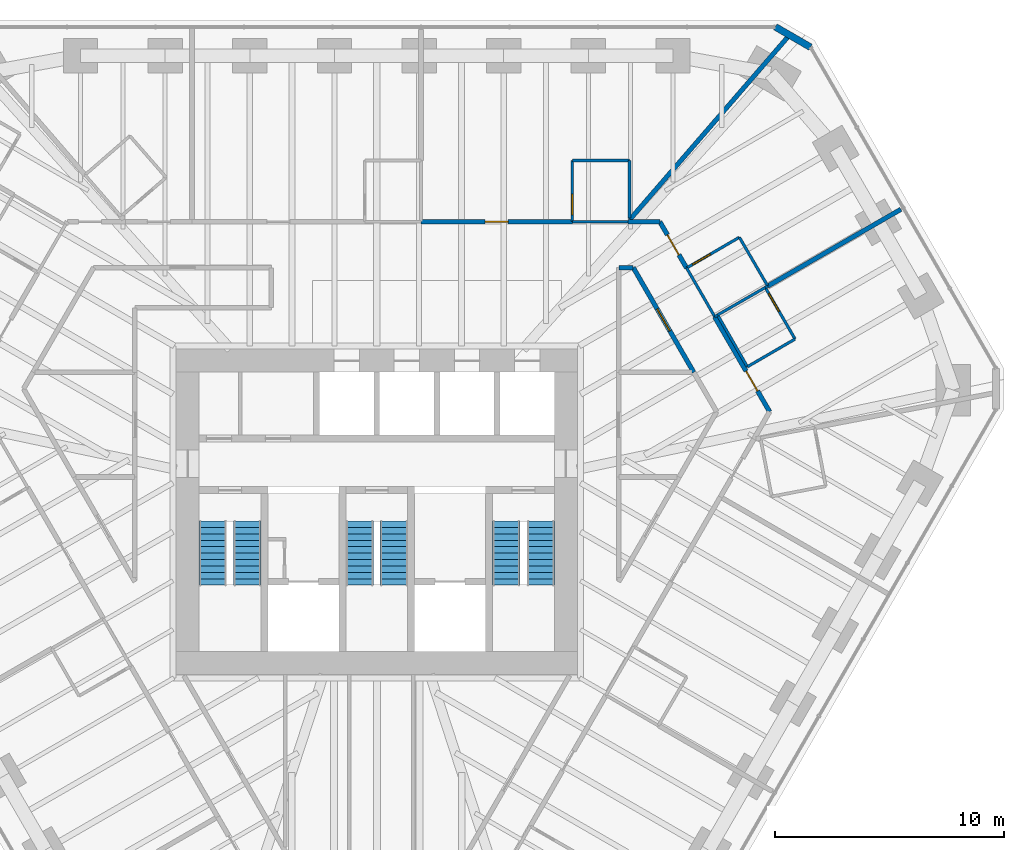
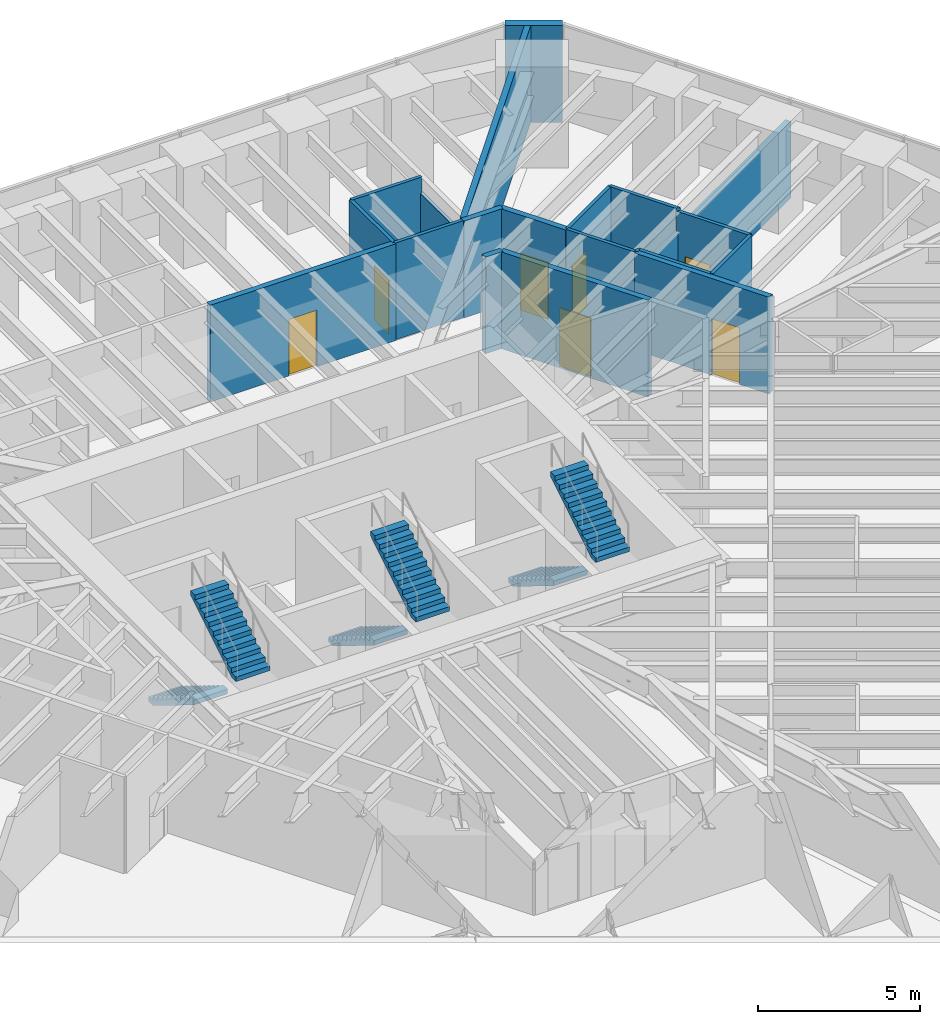
# One storey, part 15 of 16: 22 walls, 7 doors, 6 stair flights, 7 openings, 3 elements without a shape of their own.
"""IFC4 building model written with IfcOpenShell, lengths in metres."""

import ifcopenshell
import ifcopenshell.guid

model = None  # the IFC model being written
_history = None  # IfcOwnerHistory: only IFC2X3 demands one
_inside = {}  # id of a spatial element -> (the spatial element, [elements in it])
_under = {}  # id of a project, library or spatial element -> (it, [spatial elements below it])
_declared = {}  # id of a project -> (the project, [libraries it declares])
_typed = {}  # id of a type object -> (the type object, [elements of that type])
_made_of = {}  # id of a material, layer set ... -> (it, [elements and type objects made of it])


def new_model(schema):
    """Start an empty IFC model of exactly this schema.

    Asked for "IFC4X3", IfcOpenShell would pick the latest addendum, in which some entities
    have other attributes; the version numbers below select the first issue.
    IFC2X3 requires an IfcOwnerHistory on every rooted entity: one is made here for all.
    """
    global model, _history
    if schema == "IFC4X3":
        model = ifcopenshell.file(schema_version=(4, 3, 0, 0))
    else:
        model = ifcopenshell.file(schema=schema)
    _inside.clear()
    _under.clear()
    _declared.clear()
    _typed.clear()
    _made_of.clear()
    _history = None
    if model.schema == "IFC2X3":
        org = make("IfcOrganization", Name="unknown")
        user = make(
            "IfcPersonAndOrganization",
            ThePerson=make("IfcPerson", FamilyName="unknown"),
            TheOrganization=org,
        )
        app = make(
            "IfcApplication",
            ApplicationDeveloper=org,
            Version="unknown",
            ApplicationFullName="unknown",
            ApplicationIdentifier="unknown",
        )
        _history = make(
            "IfcOwnerHistory",
            OwningUser=user,
            OwningApplication=app,
            ChangeAction="ADDED",
            CreationDate=0,
        )
    return model


def make(cls, **values):
    """One entity of the class cls with the attributes given. An attribute that is None is left unset."""
    return model.create_entity(
        cls, **{name: value for name, value in values.items() if value is not None}
    )


def rooted(cls, **values):
    """An entity with a GlobalId (a new one), such as an element, a storey or a relation."""
    return make(cls, GlobalId=ifcopenshell.guid.new(), OwnerHistory=_history, **values)


def si_unit(unit_type, name, prefix=None):
    """IfcSIUnit, for example si_unit("LENGTHUNIT", "METRE", prefix="MILLI")."""
    return make("IfcSIUnit", UnitType=unit_type, Prefix=prefix, Name=name)


def assignment(units):
    """IfcUnitAssignment: the units of a project."""
    return None if units is None else make("IfcUnitAssignment", Units=units)


def point(xyz):
    """IfcCartesianPoint."""
    return None if xyz is None else make("IfcCartesianPoint", Coordinates=xyz)


def direction(xyz):
    """IfcDirection."""
    return None if xyz is None else make("IfcDirection", DirectionRatios=xyz)


def frame(location, z_axis=None, x_axis=None):
    """IfcAxis2Placement3D, a coordinate frame: its origin and axes. An axis left out is left unset."""
    return make(
        "IfcAxis2Placement3D",
        Location=point(location),
        Axis=direction(z_axis),
        RefDirection=direction(x_axis),
    )


def frame_2d(location, x_axis=None):
    """IfcAxis2Placement2D, a coordinate frame in the plane: its origin and x axis."""
    return make(
        "IfcAxis2Placement2D", Location=point(location), RefDirection=direction(x_axis)
    )


def origin():
    """The frame at (0, 0, 0) with its axes left unset."""
    return frame((0.0, 0.0, 0.0))


def place(relative_to, where):
    """IfcLocalPlacement: puts the frame where relative to a parent placement (None: the world)."""
    return make(
        "IfcLocalPlacement", PlacementRelTo=relative_to, RelativePlacement=where
    )


def context(
    kind, dimensions, precision=None, world=None, true_north=None, identifier=None
):
    """IfcGeometricRepresentationContext, for example the 3D "Model" context."""
    return make(
        "IfcGeometricRepresentationContext",
        ContextIdentifier=identifier,
        ContextType=kind,
        CoordinateSpaceDimension=dimensions,
        Precision=precision,
        WorldCoordinateSystem=world,
        TrueNorth=true_north,
    )


def subcontext(parent, identifier, kind, view, scale=None):
    """IfcGeometricRepresentationSubContext, for example "Body" below "Model"."""
    return make(
        "IfcGeometricRepresentationSubContext",
        ContextIdentifier=identifier,
        ContextType=kind,
        ParentContext=parent,
        TargetScale=scale,
        TargetView=view,
    )


def project(units=None, contexts=None):
    """IfcProject with its units and contexts."""
    return rooted(
        "IfcProject",
        Name="project",
        RepresentationContexts=contexts,
        UnitsInContext=assignment(units),
    )


def spatial(cls, under=None, at=None, **own):
    """A site, building, storey or space (cls), placed at a placement, below another one or the project."""
    s = rooted(cls, ObjectPlacement=at, **own)
    if under is not None:
        _under.setdefault(under.id(), (under, []))[1].append(s)
    return s


def polyline(points):
    """IfcPolyline through the points."""
    return make("IfcPolyline", Points=[point(p) for p in points])


def profile(cls, at=None, kind="AREA", **sizes):
    """A parametric profile (cls). Its sizes go by their IFC names, for example OverallWidth=200.0."""
    return make(cls, ProfileType=kind, Position=at, **sizes)


def rectangle(**sizes):
    """IfcRectangleProfileDef."""
    return profile("IfcRectangleProfileDef", **sizes)


def outline(outer, holes=None, kind="AREA"):
    """IfcArbitraryClosedProfileDef: a profile drawn as a closed curve; with holes, ...WithVoids."""
    if holes is None:
        return make("IfcArbitraryClosedProfileDef", ProfileType=kind, OuterCurve=outer)
    return make(
        "IfcArbitraryProfileDefWithVoids",
        ProfileType=kind,
        OuterCurve=outer,
        InnerCurves=holes,
    )


def extrude(swept, where, along, depth):
    """IfcExtrudedAreaSolid: the profile swept, set in the frame where, extruded along a direction by depth."""
    return make(
        "IfcExtrudedAreaSolid",
        SweptArea=swept,
        Position=where,
        ExtrudedDirection=direction(along),
        Depth=depth,
    )


def shape(context_of_items, identifier, shape_type, items):
    """IfcShapeRepresentation: the items that make up one representation, for example the "Body"."""
    return make(
        "IfcShapeRepresentation",
        ContextOfItems=context_of_items,
        RepresentationIdentifier=identifier,
        RepresentationType=shape_type,
        Items=items,
    )


def material(Name=None, Category=None):
    """IfcMaterial."""
    return make("IfcMaterial", Name=Name, Category=Category)


def layer(
    of_material, thickness, ventilated=None, Name=None, Category=None, Priority=None
):
    """IfcMaterialLayer: one layer of a wall or slab, of a material (None: an air gap)."""
    return make(
        "IfcMaterialLayer",
        Material=of_material,
        LayerThickness=thickness,
        IsVentilated=ventilated,
        Name=Name,
        Category=Category,
        Priority=Priority,
    )


def layer_set(layers, Name=None):
    """IfcMaterialLayerSet."""
    return make("IfcMaterialLayerSet", MaterialLayers=layers, LayerSetName=Name)


def made_of(thing, what):
    """Note that an element or type object is made of a material, layer set ...; save() writes the relation."""
    if what is not None:
        _made_of.setdefault(what.id(), (what, []))[1].append(thing)
    return thing


def type_object(cls, material=None, **own):
    """A type object (cls), such as IfcWallType, which elements share."""
    return made_of(rooted(cls, **own), material)


def element(
    cls,
    number,
    at=None,
    inside=None,
    cuts=None,
    type_object=None,
    material=None,
    context=None,
    identifier="Body",
    shape_type=None,
    held_by="IfcProductDefinitionShape",
    body=None,
    shapes=None,
    **own,
):
    """One element of the class cls, such as IfcWall. Its Tag is "e" and its number.

    at: its placement. inside: the storey or other place that contains it. cuts: it is an
    opening in that element (IfcRelVoidsElement). A single representation is given by context,
    identifier, shape_type and body (its items); several are given by shapes. held_by: the class
    of the entity that holds the representations. save() writes the other relations.
    """
    e = rooted(cls, Tag="e%d" % number, ObjectPlacement=at, **own)
    if body is not None:
        shapes = [shape(context, identifier, shape_type, body)]
    if shapes is not None:
        e.Representation = make(held_by, Representations=shapes)
    if inside is not None:
        _inside.setdefault(inside.id(), (inside, []))[1].append(e)
    if cuts is not None:
        rooted(
            "IfcRelVoidsElement", RelatingBuildingElement=cuts, RelatedOpeningElement=e
        )
    if type_object is not None:
        _typed.setdefault(type_object.id(), (type_object, []))[1].append(e)
    return made_of(e, material)


def fill(opening, filler):
    """IfcRelFillsElement: the door or window that sits in an opening."""
    return rooted(
        "IfcRelFillsElement",
        RelatingOpeningElement=opening,
        RelatedBuildingElement=filler,
    )


def aggregate(whole, parts):
    """IfcRelAggregates: a whole, such as a stair, and the parts it consists of."""
    return rooted("IfcRelAggregates", RelatingObject=whole, RelatedObjects=parts)


def save(model, path):
    """Write the relations noted so far, then the file.

    IfcRelAggregates (storeys below a building ...), IfcRelContainedInSpatialStructure (elements
    in a storey), IfcRelDefinesByType, IfcRelAssociatesMaterial and IfcRelDeclares: one each for
    every whole, place, type object, material and project.
    """
    for whole, parts in _under.values():
        aggregate(whole, parts)
    for where, things in _inside.values():
        rooted(
            "IfcRelContainedInSpatialStructure",
            RelatedElements=things,
            RelatingStructure=where,
        )
    for kind, things in _typed.values():
        rooted("IfcRelDefinesByType", RelatedObjects=things, RelatingType=kind)
    for what, things in _made_of.values():
        rooted("IfcRelAssociatesMaterial", RelatedObjects=things, RelatingMaterial=what)
    for by, libraries in _declared.values():
        rooted("IfcRelDeclares", RelatingContext=by, RelatedDefinitions=libraries)
    model.write(path)


model = new_model("IFC4")

# Units and contexts
model_context = context("Model", 3, precision=1e-05, world=origin(), true_north=direction((0.0, 1.0)))
body_context = subcontext(model_context, "Body", "Model", "MODEL_VIEW")
ifc_project = project(units=[si_unit("LENGTHUNIT", "METRE"), si_unit("AREAUNIT", "SQUARE_METRE"), si_unit("VOLUMEUNIT", "CUBIC_METRE"), si_unit("PLANEANGLEUNIT", "RADIAN"), si_unit("MASSUNIT", "GRAM", prefix="KILO")], contexts=[model_context])

# Site, building, storey
site_placement = place(None, origin())
site = spatial("IfcSite", under=ifc_project, at=site_placement, CompositionType="ELEMENT")
building_placement = place(site_placement, origin())
building = spatial("IfcBuilding", under=site, at=building_placement, Name="Sandreach Pilgrim Tower", CompositionType="ELEMENT")
storey_placement = place(building_placement, frame((0.0, 0.0, 209.800048828125)))
storey = spatial("IfcBuildingStorey", under=building, at=storey_placement, Name="L52", CompositionType="ELEMENT", Elevation=209.800048828125)

# Wall, opening, door
ifc_material_1 = material(Name="Moisture-resistant gypsum board on steel studs", Category="steel")
ifc_layer_1 = layer(ifc_material_1, 0.1201171875)
ifc_layer_set_1 = layer_set([ifc_layer_1], Name="Bathroom partition 120")
wall_type_1 = type_object("IfcWallType", Name="Bathroom partition 120", PredefinedType="PARTITIONING", material=ifc_layer_set_1)
wall_1_placement = place(storey_placement, frame((8.530029296875, 15.330078125, 0.0), z_axis=(0.0, 0.0, 1.0), x_axis=(0.0, -1.0, 0.0)))
wall_1 = element("IfcWall", 1, at=wall_1_placement, inside=storey, type_object=wall_type_1, Name="Bathroom partition L52-104", PredefinedType="PARTITIONING", context=body_context, shape_type="SweptSolid", body=[
    extrude(rectangle(XDim=2.670166015625, YDim=0.1201171875, at=frame_2d((1.3349609375, 0.0))), origin(), (0.0, 0.0, 1.0), 3.639892578125),
])
opening_1_placement = place(wall_1_placement, frame((1.469970703125, 0.0, 0.0)))
opening_1 = element("IfcOpeningElement", 2, at=opening_1_placement, cuts=wall_1, Name="Opening D09-03B", PredefinedType="OPENING", context=body_context, shape_type="SweptSolid", body=[
    extrude(rectangle(XDim=0.89990234375, YDim=2.030029296875, at=frame_2d((0.449951171875, 1.01513671875))), frame((0.0, 0.06005859375, 0.0), z_axis=(0.0, -1.0, 0.0), x_axis=(1.0, 0.0, 0.0)), (0.0, 0.0, 1.0), 0.1201171875),
])
ifc_material_2 = material(Name="Timber door, steel frame", Category="steel")
door_type_1 = type_object("IfcDoorType", Name="Bathroom door", OperationType="SINGLE_SWING_LEFT", PredefinedType="DOOR", material=ifc_material_2)
door_1_placement = place(opening_1_placement, origin())
door_1 = element("IfcDoor", 3, at=door_1_placement, inside=storey, type_object=door_type_1, Name="Door 5203B", OperationType="SINGLE_SWING_RIGHT", OverallHeight=2.030029296875, OverallWidth=0.89990234375, PredefinedType="DOOR", context=body_context, shape_type="SweptSolid", body=[
    extrude(rectangle(XDim=0.89990234375, YDim=2.030029296875, at=frame_2d((0.449951171875, 1.01513671875))), frame((0.0, 0.02490234375, 0.0), z_axis=(0.0, -1.0, 0.0), x_axis=(1.0, 0.0, 0.0)), (0.0, 0.0, 1.0), 0.050048828125),
])
fill(opening_1, door_1)

# Walls
wall_2_placement = place(storey_placement, frame((10.9599609375, 12.659912109375, 0.0), z_axis=(0.0, 0.0, 1.0), x_axis=(-1.0, 0.0, 0.0)))
element("IfcWall", 4, at=wall_2_placement, inside=storey, type_object=wall_type_1, Name="Bathroom partition L52-112", PredefinedType="PARTITIONING", context=body_context, shape_type="SweptSolid", body=[
    extrude(rectangle(XDim=2.429931640625, YDim=0.1201171875, at=frame_2d((1.21484375, 0.0))), origin(), (0.0, 0.0, 1.0), 3.639892578125),
])
wall_3_placement = place(storey_placement, frame((11.030029296875, 12.830078125, 0.0), z_axis=(0.0, 0.0, 1.0), x_axis=(0.0, 1.0, 0.0)))
element("IfcWall", 5, at=wall_3_placement, inside=storey, type_object=wall_type_1, Name="Bathroom partition L52-113", PredefinedType="PARTITIONING", context=body_context, shape_type="SweptSolid", body=[
    extrude(rectangle(XDim=2.5, YDim=0.1201171875, at=frame_2d((1.25, 0.0))), origin(), (0.0, 0.0, 1.0), 3.0380859375),
])
wall_4_placement = place(storey_placement, frame((11.030029296875, 15.330078125, 0.0), z_axis=(0.0, 0.0, 1.0), x_axis=(-1.0, 0.0, 0.0)))
element("IfcWall", 6, at=wall_4_placement, inside=storey, type_object=wall_type_1, Name="Bathroom partition L52-114", PredefinedType="PARTITIONING", context=body_context, shape_type="SweptSolid", body=[
    extrude(rectangle(XDim=2.5, YDim=0.1201171875, at=frame_2d((1.25, 0.0))), origin(), (0.0, 0.0, 1.0), 3.639892578125),
])
wall_5_placement = place(storey_placement, frame((13.52001953125, 10.64013671875, 0.0), z_axis=(0.0, 0.0, 1.0), x_axis=(0.500046071023, -0.865998803033, 0.0)))
element("IfcWall", 7, at=wall_5_placement, inside=storey, type_object=wall_type_1, Name="Bathroom partition L52-125", PredefinedType="PARTITIONING", context=body_context, shape_type="SweptSolid", body=[
    extrude(rectangle(XDim=2.459716796875, YDim=0.1201171875, at=frame_2d((1.22998046875, 0.0))), origin(), (0.0, 0.0, 1.0), 3.639892578125),
])
wall_6_placement = place(storey_placement, frame((14.75, 8.510009765625, 0.0), z_axis=(0.0, 0.0, 1.0), x_axis=(0.831528837533, 0.555481585969, 0.0)))
element("IfcWall", 8, at=wall_6_placement, inside=storey, type_object=wall_type_1, Name="Bathroom partition L52-128", PredefinedType="PARTITIONING", context=body_context, shape_type="SweptSolid", body=[
    extrude(rectangle(XDim=0.14404296875, YDim=0.1201171875, at=frame_2d((0.072021484375, 0.0))), origin(), (0.0, 0.0, 1.0), 3.639892578125),
])
wall_7_placement = place(storey_placement, frame((14.8701171875, 8.590087890625, 0.0), z_axis=(0.0, 0.0, 1.0), x_axis=(0.498557331759, -0.866856728041, 0.0)))
element("IfcWall", 9, at=wall_7_placement, inside=storey, type_object=wall_type_1, Name="Bathroom partition L52-130", PredefinedType="PARTITIONING", context=body_context, shape_type="SweptSolid", body=[
    extrude(rectangle(XDim=2.607177734375, YDim=0.1201171875, at=frame_2d((1.3037109375, 0.0))), origin(), (0.0, 0.0, 1.0), 3.639892578125),
])
wall_8_placement = place(storey_placement, frame((14.8701171875, 8.590087890625, 0.0), z_axis=(0.0, 0.0, 1.0), x_axis=(0.866177122335, 0.499737123639, 0.0)))
element("IfcWall", 10, at=wall_8_placement, inside=storey, type_object=wall_type_1, Name="Bathroom partition L52-131", PredefinedType="PARTITIONING", context=body_context, shape_type="SweptSolid", body=[
    extrude(rectangle(XDim=2.401123046875, YDim=0.1201171875, at=frame_2d((1.20068359375, 0.0))), origin(), (0.0, 0.0, 1.0), 2.8779296875),
])

# Wall, opening, door
wall_9_placement = place(storey_placement, frame((15.820068359375, 11.97998046875, 0.0), z_axis=(0.0, 0.0, 1.0), x_axis=(-0.864041571379, -0.503420463359, 0.0)))
wall_9 = element("IfcWall", 11, at=wall_9_placement, inside=storey, type_object=wall_type_1, Name="Bathroom partition L52-133", PredefinedType="PARTITIONING", context=body_context, shape_type="SweptSolid", body=[
    extrude(rectangle(XDim=2.661865234375, YDim=0.1201171875, at=frame_2d((1.3310546875, 0.0))), origin(), (0.0, 0.0, 1.0), 3.639892578125),
])
opening_2_placement = place(wall_9_placement, frame((1.4619140625, 0.0, 0.0)))
opening_2 = element("IfcOpeningElement", 12, at=opening_2_placement, cuts=wall_9, Name="Opening D09-04B", PredefinedType="OPENING", context=body_context, shape_type="SweptSolid", body=[
    extrude(rectangle(XDim=0.89990234375, YDim=2.030029296875, at=frame_2d((0.449951171875, 1.01513671875))), frame((0.0, 0.06005859375, 0.0), z_axis=(0.0, -1.0, 0.0), x_axis=(1.0, 0.0, 0.0)), (0.0, 0.0, 1.0), 0.1201171875),
])
door_2_placement = place(opening_2_placement, origin())
door_2 = element("IfcDoor", 13, at=door_2_placement, inside=storey, type_object=door_type_1, Name="Door 5204B", OperationType="SINGLE_SWING_RIGHT", OverallHeight=2.030029296875, OverallWidth=0.89990234375, PredefinedType="DOOR", context=body_context, shape_type="SweptSolid", body=[
    extrude(rectangle(XDim=0.89990234375, YDim=2.030029296875, at=frame_2d((0.449951171875, 1.01513671875))), frame((0.0, 0.02490234375, 0.0), z_axis=(0.0, -1.0, 0.0), x_axis=(1.0, 0.0, 0.0)), (0.0, 0.0, 1.0), 0.050048828125),
])
fill(opening_2, door_2)

# Walls
wall_10_placement = place(storey_placement, frame((16.169921875, 6.330078125, 0.0), z_axis=(0.0, 0.0, 1.0), x_axis=(0.864396442809, 0.502810888564, 0.0)))
element("IfcWall", 14, at=wall_10_placement, inside=storey, type_object=wall_type_1, Name="Bathroom partition L52-134", PredefinedType="PARTITIONING", context=body_context, shape_type="SweptSolid", body=[
    extrude(rectangle(XDim=2.406494140625, YDim=0.1201171875, at=frame_2d((1.203125, 0.0))), origin(), (0.0, 0.0, 1.0), 3.639892578125),
])
wall_11_placement = place(storey_placement, frame((16.949951171875, 9.7900390625, 0.0), z_axis=(0.0, 0.0, 1.0), x_axis=(0.877895572914, 0.478852130681, 0.0)))
element("IfcWall", 15, at=wall_11_placement, inside=storey, type_object=wall_type_1, Name="Bathroom partition L52-139", PredefinedType="PARTITIONING", context=body_context, shape_type="SweptSolid", body=[
    extrude(rectangle(XDim=0.12548828125, YDim=0.1201171875, at=frame_2d((0.062744140625, 0.0))), origin(), (0.0, 0.0, 1.0), 3.639892578125),
])
wall_12_placement = place(storey_placement, frame((17.06005859375, 9.85009765625, 0.0), z_axis=(0.0, 0.0, 1.0), x_axis=(-0.503131731744, 0.864209731785, 0.0)))
element("IfcWall", 16, at=wall_12_placement, inside=storey, type_object=wall_type_1, Name="Bathroom partition L52-140", PredefinedType="PARTITIONING", context=body_context, shape_type="SweptSolid", body=[
    extrude(rectangle(XDim=2.464599609375, YDim=0.1201171875, at=frame_2d((1.232421875, 0.0))), origin(), (0.0, 0.0, 1.0), 3.639892578125),
])

# Wall, opening, door
wall_13_placement = place(storey_placement, frame((18.25, 7.5400390625, 0.0), z_axis=(0.0, 0.0, 1.0), x_axis=(-0.500291685314, 0.865856933682, 0.0)))
wall_13 = element("IfcWall", 17, at=wall_13_placement, inside=storey, type_object=wall_type_1, Name="Bathroom partition L52-144", PredefinedType="PARTITIONING", context=body_context, shape_type="SweptSolid", body=[
    extrude(rectangle(XDim=2.5986328125, YDim=0.1201171875, at=frame_2d((1.29931640625, 0.0))), origin(), (0.0, 0.0, 1.0), 3.639892578125),
])
opening_3_placement = place(wall_13_placement, frame((1.398681640625, 0.0, 0.0)))
opening_3 = element("IfcOpeningElement", 18, at=opening_3_placement, cuts=wall_13, Name="Opening D09-05B", PredefinedType="OPENING", context=body_context, shape_type="SweptSolid", body=[
    extrude(rectangle(XDim=0.89990234375, YDim=2.030029296875, at=frame_2d((0.449951171875, 1.01513671875))), frame((0.0, 0.06005859375, 0.0), z_axis=(0.0, -1.0, 0.0), x_axis=(1.0, 0.0, 0.0)), (0.0, 0.0, 1.0), 0.1201171875),
])
door_3_placement = place(opening_3_placement, origin())
door_3 = element("IfcDoor", 19, at=door_3_placement, inside=storey, type_object=door_type_1, Name="Door 5205B", OperationType="SINGLE_SWING_RIGHT", OverallHeight=2.030029296875, OverallWidth=0.89990234375, PredefinedType="DOOR", context=body_context, shape_type="SweptSolid", body=[
    extrude(rectangle(XDim=0.89990234375, YDim=2.030029296875, at=frame_2d((0.449951171875, 1.01513671875))), frame((0.0, 0.02490234375, 0.0), z_axis=(0.0, -1.0, 0.0), x_axis=(1.0, 0.0, 0.0)), (0.0, 0.0, 1.0), 0.050048828125),
])
fill(opening_3, door_3)

ifc_material_3 = material(Name="Gypsum board on steel studs, two layers each side", Category="steel")
ifc_layer_2 = layer(ifc_material_3, 0.199951171875)
ifc_layer_set_2 = layer_set([ifc_layer_2], Name="Corridor wall 200")
wall_type_2 = type_object("IfcWallType", Name="Corridor wall 200", PredefinedType="PARTITIONING", material=ifc_layer_set_2)
wall_14_placement = place(storey_placement, frame((8.530029296875, 12.659912109375, 0.0), z_axis=(0.0, 0.0, 1.0), x_axis=(-1.0, 0.0, 0.0)))
wall_14 = element("IfcWall", 20, at=wall_14_placement, inside=storey, type_object=wall_type_2, Name="Corridor wall L52-103", PredefinedType="PARTITIONING", context=body_context, shape_type="SweptSolid", body=[
    extrude(rectangle(XDim=6.60009765625, YDim=0.199951171875, at=frame_2d((3.300048828125, 0.0))), origin(), (0.0, 0.0, 1.0), 3.639892578125),
])
opening_4_placement = place(wall_14_placement, frame((2.800048828125, 0.0, 0.0)))
opening_4 = element("IfcOpeningElement", 21, at=opening_4_placement, cuts=wall_14, Name="Opening D10-03", PredefinedType="OPENING", context=body_context, shape_type="SweptSolid", body=[
    extrude(rectangle(XDim=1.0, YDim=2.1298828125, at=frame_2d((0.5, 1.06494140625))), frame((0.0, 0.10009765625, 0.0), z_axis=(0.0, -1.0, 0.0), x_axis=(1.0, 0.0, 0.0)), (0.0, 0.0, 1.0), 0.199951171875),
])
ifc_material_4 = material(Name="Steel door and frame", Category="steel")
door_type_2 = type_object("IfcDoorType", Name="Guest room entry door", OperationType="SINGLE_SWING_LEFT", PredefinedType="DOOR", material=ifc_material_4)
door_4_placement = place(opening_4_placement, origin())
door_4 = element("IfcDoor", 22, at=door_4_placement, inside=storey, type_object=door_type_2, Name="Door 5203", OperationType="SINGLE_SWING_LEFT", OverallHeight=2.1298828125, OverallWidth=1.0, PredefinedType="DOOR", context=body_context, shape_type="SweptSolid", body=[
    extrude(rectangle(XDim=1.0, YDim=2.1298828125, at=frame_2d((0.5, 1.06494140625))), frame((0.0, 0.02490234375, 0.0), z_axis=(0.0, -1.0, 0.0), x_axis=(1.0, 0.0, 0.0)), (0.0, 0.0, 1.0), 0.050048828125),
])
fill(opening_4, door_4)

# Wall
wall_15_placement = place(storey_placement, frame((10.56005859375, 10.659912109375, 0.0), z_axis=(0.0, 0.0, 1.0), x_axis=(1.0, 0.0, 0.0)))
element("IfcWall", 23, at=wall_15_placement, inside=storey, type_object=wall_type_2, Name="Corridor wall L52-111", PredefinedType="PARTITIONING", context=body_context, shape_type="SweptSolid", body=[
    extrude(rectangle(XDim=0.6298828125, YDim=0.199951171875, at=frame_2d((0.31494140625, 0.0))), origin(), (0.0, 0.0, 1.0), 3.639892578125),
])

# Wall, opening, door
wall_16_placement = place(storey_placement, frame((11.18994140625, 10.659912109375, 0.0), z_axis=(0.0, 0.0, 1.0), x_axis=(0.500248310865, -0.865881993967, 0.0)))
wall_16 = element("IfcWall", 24, at=wall_16_placement, inside=storey, type_object=wall_type_2, Name="Corridor wall L52-116", PredefinedType="PARTITIONING", context=body_context, shape_type="SweptSolid", body=[
    extrude(rectangle(XDim=5.277587890625, YDim=0.199951171875, at=frame_2d((2.638671875, 0.0))), origin(), (0.0, 0.0, 1.0), 3.639892578125),
])
opening_5_placement = place(wall_16_placement, frame((2.0888671875, 0.0, 0.0)))
opening_5 = element("IfcOpeningElement", 25, at=opening_5_placement, cuts=wall_16, Name="Opening D11H-M05", PredefinedType="OPENING", context=body_context, shape_type="SweptSolid", body=[
    extrude(rectangle(XDim=1.10009765625, YDim=2.199951171875, at=frame_2d((0.550048828125, 1.10009765625))), frame((0.0, 0.10009765625, 0.0), z_axis=(0.0, -1.0, 0.0), x_axis=(1.0, 0.0, 0.0)), (0.0, 0.0, 1.0), 0.199951171875),
])
ifc_material_5 = material(Name="Steel door and frame", Category="steel")
door_type_3 = type_object("IfcDoorType", Name="Back of house door", OperationType="SINGLE_SWING_LEFT", PredefinedType="DOOR", material=ifc_material_5)
door_5_placement = place(opening_5_placement, origin())
door_5 = element("IfcDoor", 26, at=door_5_placement, inside=storey, type_object=door_type_3, Name="Door 52M05", OperationType="SINGLE_SWING_LEFT", OverallHeight=2.199951171875, OverallWidth=1.10009765625, PredefinedType="DOOR", context=body_context, shape_type="SweptSolid", body=[
    extrude(rectangle(XDim=1.10009765625, YDim=2.199951171875, at=frame_2d((0.550048828125, 1.10009765625))), frame((0.0, 0.02490234375, 0.0), z_axis=(0.0, -1.0, 0.0), x_axis=(1.0, 0.0, 0.0)), (0.0, 0.0, 1.0), 0.050048828125),
])
fill(opening_5, door_5)

# Wall
wall_17_placement = place(storey_placement, frame((12.35009765625, 12.659912109375, 0.0), z_axis=(0.0, 0.0, 1.0), x_axis=(-1.0, 0.0, 0.0)))
element("IfcWall", 27, at=wall_17_placement, inside=storey, type_object=wall_type_2, Name="Corridor wall L52-121", PredefinedType="PARTITIONING", context=body_context, shape_type="SweptSolid", body=[
    extrude(rectangle(XDim=1.39013671875, YDim=0.199951171875, at=frame_2d((0.695068359375, 0.0))), origin(), (0.0, 0.0, 1.0), 3.639892578125),
])

# Wall, opening, door
wall_18_placement = place(storey_placement, frame((12.35009765625, 12.659912109375, 0.0), z_axis=(0.0, 0.0, 1.0), x_axis=(0.500120771724, -0.865955664968, 0.0)))
wall_18 = element("IfcWall", 28, at=wall_18_placement, inside=storey, type_object=wall_type_2, Name="Corridor wall L52-122", PredefinedType="PARTITIONING", context=body_context, shape_type="SweptSolid", body=[
    extrude(rectangle(XDim=2.33447265625, YDim=0.199951171875, at=frame_2d((1.167236328125, 0.0))), origin(), (0.0, 0.0, 1.0), 3.639892578125),
])
opening_6_placement = place(wall_18_placement, frame((0.667236328125, 0.0, 0.0)))
opening_6 = element("IfcOpeningElement", 29, at=opening_6_placement, cuts=wall_18, Name="Opening D10-04", PredefinedType="OPENING", context=body_context, shape_type="SweptSolid", body=[
    extrude(rectangle(XDim=1.0, YDim=2.1298828125, at=frame_2d((0.5, 1.06494140625))), frame((0.0, 0.10009765625, 0.0), z_axis=(0.0, -1.0, 0.0), x_axis=(1.0, 0.0, 0.0)), (0.0, 0.0, 1.0), 0.199951171875),
])
door_6_placement = place(opening_6_placement, origin())
door_6 = element("IfcDoor", 30, at=door_6_placement, inside=storey, type_object=door_type_2, Name="Door 5204", OperationType="SINGLE_SWING_LEFT", OverallHeight=2.1298828125, OverallWidth=1.0, PredefinedType="DOOR", context=body_context, shape_type="SweptSolid", body=[
    extrude(rectangle(XDim=1.0, YDim=2.1298828125, at=frame_2d((0.5, 1.06494140625))), frame((0.0, 0.02490234375, 0.0), z_axis=(0.0, -1.0, 0.0), x_axis=(1.0, 0.0, 0.0)), (0.0, 0.0, 1.0), 0.050048828125),
])
fill(opening_6, door_6)

wall_19_placement = place(storey_placement, frame((17.139892578125, 4.3701171875, 0.0), z_axis=(0.0, 0.0, 1.0), x_axis=(-0.501524901322, 0.865143209737, 0.0)))
wall_19 = element("IfcWall", 31, at=wall_19_placement, inside=storey, type_object=wall_type_2, Name="Corridor wall L52-142", PredefinedType="PARTITIONING", context=body_context, shape_type="SweptSolid", body=[
    extrude(rectangle(XDim=4.78515625, YDim=0.199951171875, at=frame_2d((2.392578125, 0.0))), origin(), (0.0, 0.0, 1.0), 3.639892578125),
])
opening_7_placement = place(wall_19_placement, frame((1.050048828125, 0.0, 0.0)))
opening_7 = element("IfcOpeningElement", 32, at=opening_7_placement, cuts=wall_19, Name="Opening D10-05", PredefinedType="OPENING", context=body_context, shape_type="SweptSolid", body=[
    extrude(rectangle(XDim=1.0, YDim=2.1298828125, at=frame_2d((0.5, 1.06494140625))), frame((0.0, 0.10009765625, 0.0), z_axis=(0.0, -1.0, 0.0), x_axis=(1.0, 0.0, 0.0)), (0.0, 0.0, 1.0), 0.199951171875),
])
door_7_placement = place(opening_7_placement, origin())
door_7 = element("IfcDoor", 33, at=door_7_placement, inside=storey, type_object=door_type_2, Name="Door 5205", OperationType="SINGLE_SWING_LEFT", OverallHeight=2.1298828125, OverallWidth=1.0, PredefinedType="DOOR", context=body_context, shape_type="SweptSolid", body=[
    extrude(rectangle(XDim=1.0, YDim=2.1298828125, at=frame_2d((0.5, 1.06494140625))), frame((0.0, 0.02490234375, 0.0), z_axis=(0.0, -1.0, 0.0), x_axis=(1.0, 0.0, 0.0)), (0.0, 0.0, 1.0), 0.050048828125),
])
fill(opening_7, door_7)

# Walls
ifc_material_6 = material(Name="Double steel stud acoustic wall, gypsum board", Category="steel")
ifc_layer_3 = layer(ifc_material_6, 0.199951171875)
ifc_layer_set_3 = layer_set([ifc_layer_3], Name="Party wall 200")
wall_type_3 = type_object("IfcWallType", Name="Party wall 200", PredefinedType="PARTITIONING", material=ifc_layer_set_3)
wall_20_placement = place(storey_placement, frame((11.039794921875, 12.751220703125, 0.0), z_axis=(0.0, 0.0, 1.0), x_axis=(0.654384042683, 0.756162366613, 0.0)))
element("IfcWall", 34, at=wall_20_placement, inside=storey, type_object=wall_type_3, Name="Party wall L52-115", PredefinedType="PARTITIONING", context=body_context, shape_type="SweptSolid", body=[
    extrude(rectangle(XDim=10.667236328125, YDim=0.199951171875, at=frame_2d((5.33349609375, 0.0))), origin(), (0.0, 0.0, 1.0), 3.639892578125),
])
wall_21_placement = place(storey_placement, frame((17.06005859375, 9.85009765625, 0.0), z_axis=(0.0, 0.0, 1.0), x_axis=(0.866166787958, 0.499755035431, 0.0)))
element("IfcWall", 35, at=wall_21_placement, inside=storey, type_object=wall_type_3, Name="Party wall L52-141", PredefinedType="PARTITIONING", context=body_context, shape_type="SweptSolid", body=[
    extrude(rectangle(XDim=6.702880859375, YDim=0.199951171875, at=frame_2d((3.3515625, 0.0))), origin(), (0.0, 0.0, 1.0), 2.8779296875),
])
ifc_material_7 = material(Name="Terracotta rainscreen on concrete", Category="masonry")
ifc_layer_4 = layer(ifc_material_7, 0.300048828125)
ifc_layer_set_4 = layer_set([ifc_layer_4], Name="Terracotta chamfer pier")
wall_type_4 = type_object("IfcWallType", Name="Terracotta chamfer pier", PredefinedType="SOLIDWALL", material=ifc_layer_set_4)
wall_22_placement = place(storey_placement, frame((17.389892578125, 21.16015625, 0.0), z_axis=(0.0, 0.0, 1.0), x_axis=(0.866036293601, -0.499981137809, 0.0)))
element("IfcWall", 36, at=wall_22_placement, inside=storey, type_object=wall_type_4, Name="Chamfer pier L52 N", PredefinedType="SOLIDWALL", context=body_context, shape_type="SweptSolid", body=[
    extrude(rectangle(XDim=1.77001953125, YDim=0.300048828125, at=frame_2d((0.885009765625, 0.0))), origin(), (0.0, 0.0, 1.0), 3.639892578125),
])

# Stair, stair flights
ifc_material_8 = material(Name="Concrete 8000 psi", Category="concrete")
stair_type = type_object("IfcStairType", Name="Core exit stair", PredefinedType="HALF_TURN_STAIR", material=ifc_material_8)
stair_1_placement = place(storey_placement, origin())
stair_1 = element("IfcStair", 37, at=stair_1_placement, inside=storey, type_object=stair_type, Name="Exit stair ST1 L52", PredefinedType="HALF_TURN_STAIR")
ifc_material_9 = material(Name="Concrete 8000 psi", Category="concrete")
stair_flight_type = type_object("IfcStairFlightType", Name="Core stair flight 1200", PredefinedType="STRAIGHT", material=ifc_material_9)
stair_flight_1_placement = place(storey_placement, frame((-7.14990234375, -0.39990234375, 0.0), z_axis=(0.0, 0.0, 1.0), x_axis=(0.0, -1.0, 0.0)))
stair_flight_1 = element("IfcStairFlight", 38, at=stair_flight_1_placement, type_object=stair_flight_type, Name="ST1 flight 1", NumberOfRisers=11, NumberOfTreads=10, PredefinedType="STRAIGHT", RiserHeight=0.172727273, TreadLength=0.28, context=body_context, shape_type="SweptSolid", body=[
    extrude(outline(polyline([(0.0, 0.0), (0.0, 0.172607421875), (0.280029296875, 0.172607421875), (0.280029296875, 0.345458984375), (0.56005859375, 0.345458984375), (0.56005859375, 0.51806640625), (0.840087890625, 0.51806640625), (0.840087890625, 0.69091796875), (1.1201171875, 0.69091796875), (1.1201171875, 0.863525390625), (1.39990234375, 0.863525390625), (1.39990234375, 1.036376953125), (1.679931640625, 1.036376953125), (1.679931640625, 1.208984375), (1.9599609375, 1.208984375), (1.9599609375, 1.3818359375), (2.239990234375, 1.3818359375), (2.239990234375, 1.554443359375), (2.52001953125, 1.554443359375), (2.52001953125, 1.727294921875), (2.800048828125, 1.727294921875), (2.800048828125, 1.89990234375), (2.800048828125, 1.551025390625), (0.285400390625, 0.0), (0.0, 0.0)])), frame((0.0, 0.60009765625, 0.0), z_axis=(0.0, -1.0, 0.0), x_axis=(1.0, 0.0, 0.0)), (0.0, 0.0, 1.0), 1.199951171875),
])
stair_flight_2_placement = place(storey_placement, frame((-5.64990234375, -3.199951171875, 1.89990234375), z_axis=(0.0, 0.0, 1.0), x_axis=(0.0, 1.0, 0.0)))
stair_flight_2 = element("IfcStairFlight", 39, at=stair_flight_2_placement, type_object=stair_flight_type, Name="ST1 flight 2", NumberOfRisers=11, NumberOfTreads=10, PredefinedType="STRAIGHT", RiserHeight=0.172727273, TreadLength=0.28, context=body_context, shape_type="SweptSolid", body=[
    extrude(outline(polyline([(0.0, 0.0), (0.0, 0.172607421875), (0.280029296875, 0.172607421875), (0.280029296875, 0.345458984375), (0.56005859375, 0.345458984375), (0.56005859375, 0.51806640625), (0.840087890625, 0.51806640625), (0.840087890625, 0.69091796875), (1.1201171875, 0.69091796875), (1.1201171875, 0.863525390625), (1.39990234375, 0.863525390625), (1.39990234375, 1.036376953125), (1.679931640625, 1.036376953125), (1.679931640625, 1.208984375), (1.9599609375, 1.208984375), (1.9599609375, 1.3818359375), (2.239990234375, 1.3818359375), (2.239990234375, 1.554443359375), (2.52001953125, 1.554443359375), (2.52001953125, 1.727294921875), (2.800048828125, 1.727294921875), (2.800048828125, 1.89990234375), (2.800048828125, 1.551025390625), (0.285400390625, 0.0), (0.0, 0.0)])), frame((0.0, 0.60009765625, 0.0), z_axis=(0.0, -1.0, 0.0), x_axis=(1.0, 0.0, 0.0)), (0.0, 0.0, 1.0), 1.199951171875),
])
aggregate(stair_1, [stair_flight_1, stair_flight_2])

stair_2_placement = place(storey_placement, origin())
stair_2 = element("IfcStair", 40, at=stair_2_placement, inside=storey, type_object=stair_type, Name="Exit stair ST3 L52", PredefinedType="HALF_TURN_STAIR")
stair_flight_3_placement = place(storey_placement, frame((-0.75, -0.39990234375, 0.0), z_axis=(0.0, 0.0, 1.0), x_axis=(0.0, -1.0, 0.0)))
stair_flight_3 = element("IfcStairFlight", 41, at=stair_flight_3_placement, type_object=stair_flight_type, Name="ST3 flight 1", NumberOfRisers=11, NumberOfTreads=10, PredefinedType="STRAIGHT", RiserHeight=0.172727273, TreadLength=0.28, context=body_context, shape_type="SweptSolid", body=[
    extrude(outline(polyline([(0.0, 0.0), (0.0, 0.172607421875), (0.280029296875, 0.172607421875), (0.280029296875, 0.345458984375), (0.56005859375, 0.345458984375), (0.56005859375, 0.51806640625), (0.840087890625, 0.51806640625), (0.840087890625, 0.69091796875), (1.1201171875, 0.69091796875), (1.1201171875, 0.863525390625), (1.39990234375, 0.863525390625), (1.39990234375, 1.036376953125), (1.679931640625, 1.036376953125), (1.679931640625, 1.208984375), (1.9599609375, 1.208984375), (1.9599609375, 1.3818359375), (2.239990234375, 1.3818359375), (2.239990234375, 1.554443359375), (2.52001953125, 1.554443359375), (2.52001953125, 1.727294921875), (2.800048828125, 1.727294921875), (2.800048828125, 1.89990234375), (2.800048828125, 1.551025390625), (0.285400390625, 0.0), (0.0, 0.0)])), frame((0.0, 0.60009765625, 0.0), z_axis=(0.0, -1.0, 0.0), x_axis=(1.0, 0.0, 0.0)), (0.0, 0.0, 1.0), 1.199951171875),
])
stair_flight_4_placement = place(storey_placement, frame((0.75, -3.199951171875, 1.89990234375), z_axis=(0.0, 0.0, 1.0), x_axis=(0.0, 1.0, 0.0)))
stair_flight_4 = element("IfcStairFlight", 42, at=stair_flight_4_placement, type_object=stair_flight_type, Name="ST3 flight 2", NumberOfRisers=11, NumberOfTreads=10, PredefinedType="STRAIGHT", RiserHeight=0.172727273, TreadLength=0.28, context=body_context, shape_type="SweptSolid", body=[
    extrude(outline(polyline([(0.0, 0.0), (0.0, 0.172607421875), (0.280029296875, 0.172607421875), (0.280029296875, 0.345458984375), (0.56005859375, 0.345458984375), (0.56005859375, 0.51806640625), (0.840087890625, 0.51806640625), (0.840087890625, 0.69091796875), (1.1201171875, 0.69091796875), (1.1201171875, 0.863525390625), (1.39990234375, 0.863525390625), (1.39990234375, 1.036376953125), (1.679931640625, 1.036376953125), (1.679931640625, 1.208984375), (1.9599609375, 1.208984375), (1.9599609375, 1.3818359375), (2.239990234375, 1.3818359375), (2.239990234375, 1.554443359375), (2.52001953125, 1.554443359375), (2.52001953125, 1.727294921875), (2.800048828125, 1.727294921875), (2.800048828125, 1.89990234375), (2.800048828125, 1.551025390625), (0.285400390625, 0.0), (0.0, 0.0)])), frame((0.0, 0.60009765625, 0.0), z_axis=(0.0, -1.0, 0.0), x_axis=(1.0, 0.0, 0.0)), (0.0, 0.0, 1.0), 1.199951171875),
])
aggregate(stair_2, [stair_flight_3, stair_flight_4])

stair_3_placement = place(storey_placement, origin())
stair_3 = element("IfcStair", 43, at=stair_3_placement, inside=storey, type_object=stair_type, Name="Exit stair ST2 L52", PredefinedType="HALF_TURN_STAIR")
stair_flight_5_placement = place(storey_placement, frame((5.64990234375, -0.39990234375, 0.0), z_axis=(0.0, 0.0, 1.0), x_axis=(0.0, -1.0, 0.0)))
stair_flight_5 = element("IfcStairFlight", 44, at=stair_flight_5_placement, type_object=stair_flight_type, Name="ST2 flight 1", NumberOfRisers=11, NumberOfTreads=10, PredefinedType="STRAIGHT", RiserHeight=0.172727273, TreadLength=0.28, context=body_context, shape_type="SweptSolid", body=[
    extrude(outline(polyline([(0.0, 0.0), (0.0, 0.172607421875), (0.280029296875, 0.172607421875), (0.280029296875, 0.345458984375), (0.56005859375, 0.345458984375), (0.56005859375, 0.51806640625), (0.840087890625, 0.51806640625), (0.840087890625, 0.69091796875), (1.1201171875, 0.69091796875), (1.1201171875, 0.863525390625), (1.39990234375, 0.863525390625), (1.39990234375, 1.036376953125), (1.679931640625, 1.036376953125), (1.679931640625, 1.208984375), (1.9599609375, 1.208984375), (1.9599609375, 1.3818359375), (2.239990234375, 1.3818359375), (2.239990234375, 1.554443359375), (2.52001953125, 1.554443359375), (2.52001953125, 1.727294921875), (2.800048828125, 1.727294921875), (2.800048828125, 1.89990234375), (2.800048828125, 1.551025390625), (0.285400390625, 0.0), (0.0, 0.0)])), frame((0.0, 0.60009765625, 0.0), z_axis=(0.0, -1.0, 0.0), x_axis=(1.0, 0.0, 0.0)), (0.0, 0.0, 1.0), 1.199951171875),
])
stair_flight_6_placement = place(storey_placement, frame((7.14990234375, -3.199951171875, 1.89990234375), z_axis=(0.0, 0.0, 1.0), x_axis=(0.0, 1.0, 0.0)))
stair_flight_6 = element("IfcStairFlight", 45, at=stair_flight_6_placement, type_object=stair_flight_type, Name="ST2 flight 2", NumberOfRisers=11, NumberOfTreads=10, PredefinedType="STRAIGHT", RiserHeight=0.172727273, TreadLength=0.28, context=body_context, shape_type="SweptSolid", body=[
    extrude(outline(polyline([(0.0, 0.0), (0.0, 0.172607421875), (0.280029296875, 0.172607421875), (0.280029296875, 0.345458984375), (0.56005859375, 0.345458984375), (0.56005859375, 0.51806640625), (0.840087890625, 0.51806640625), (0.840087890625, 0.69091796875), (1.1201171875, 0.69091796875), (1.1201171875, 0.863525390625), (1.39990234375, 0.863525390625), (1.39990234375, 1.036376953125), (1.679931640625, 1.036376953125), (1.679931640625, 1.208984375), (1.9599609375, 1.208984375), (1.9599609375, 1.3818359375), (2.239990234375, 1.3818359375), (2.239990234375, 1.554443359375), (2.52001953125, 1.554443359375), (2.52001953125, 1.727294921875), (2.800048828125, 1.727294921875), (2.800048828125, 1.89990234375), (2.800048828125, 1.551025390625), (0.285400390625, 0.0), (0.0, 0.0)])), frame((0.0, 0.60009765625, 0.0), z_axis=(0.0, -1.0, 0.0), x_axis=(1.0, 0.0, 0.0)), (0.0, 0.0, 1.0), 1.199951171875),
])
aggregate(stair_3, [stair_flight_5, stair_flight_6])

save(model, "model.ifc")
